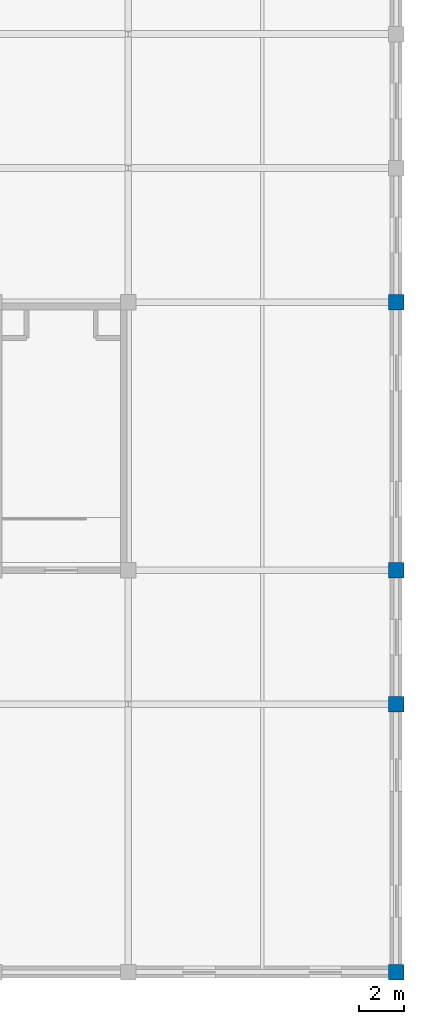
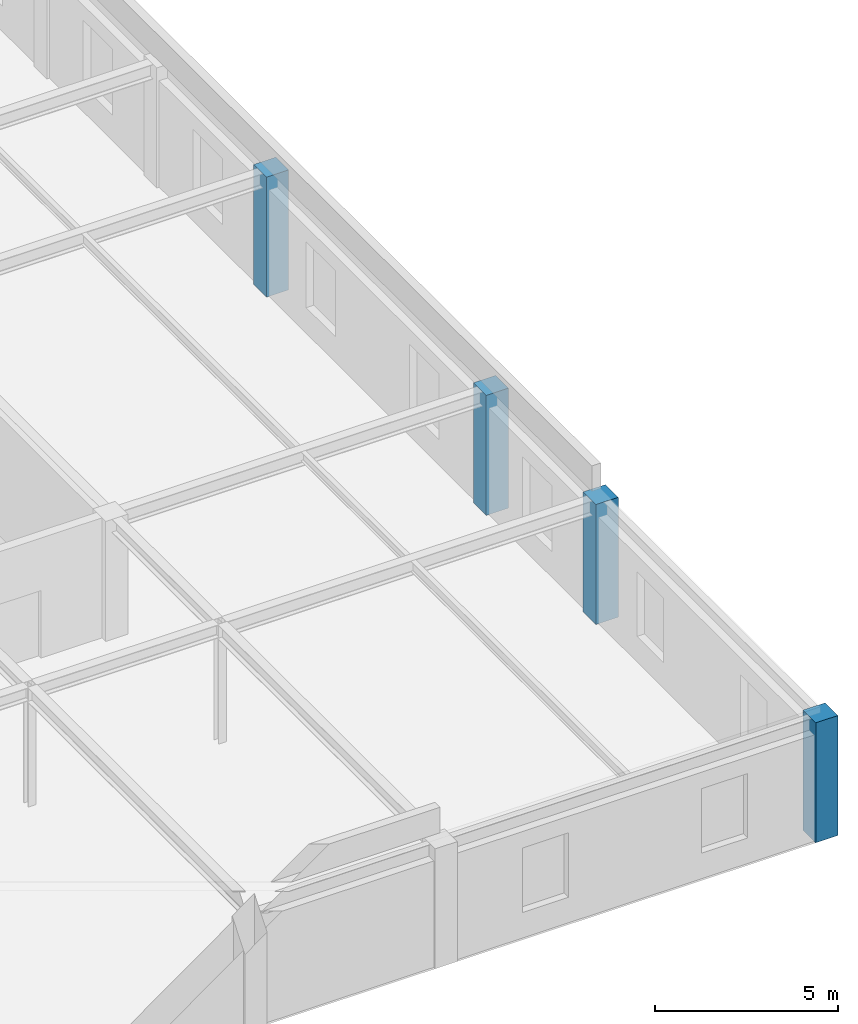
# One storey, part 23 of 111: 4 columns.
"""IFC4 building model written with IfcOpenShell, lengths in metres."""

import ifcopenshell
import ifcopenshell.guid

model = None  # the IFC model being written
_history = None  # IfcOwnerHistory: only IFC2X3 demands one
_inside = {}  # id of a spatial element -> (the spatial element, [elements in it])
_under = {}  # id of a project, library or spatial element -> (it, [spatial elements below it])
_declared = {}  # id of a project -> (the project, [libraries it declares])
_typed = {}  # id of a type object -> (the type object, [elements of that type])
_made_of = {}  # id of a material, layer set ... -> (it, [elements and type objects made of it])


def new_model(schema):
    """Start an empty IFC model of exactly this schema.

    Asked for "IFC4X3", IfcOpenShell would pick the latest addendum, in which some entities
    have other attributes; the version numbers below select the first issue.
    IFC2X3 requires an IfcOwnerHistory on every rooted entity: one is made here for all.
    """
    global model, _history
    if schema == "IFC4X3":
        model = ifcopenshell.file(schema_version=(4, 3, 0, 0))
    else:
        model = ifcopenshell.file(schema=schema)
    _inside.clear()
    _under.clear()
    _declared.clear()
    _typed.clear()
    _made_of.clear()
    _history = None
    if model.schema == "IFC2X3":
        org = make("IfcOrganization", Name="unknown")
        user = make(
            "IfcPersonAndOrganization",
            ThePerson=make("IfcPerson", FamilyName="unknown"),
            TheOrganization=org,
        )
        app = make(
            "IfcApplication",
            ApplicationDeveloper=org,
            Version="unknown",
            ApplicationFullName="unknown",
            ApplicationIdentifier="unknown",
        )
        _history = make(
            "IfcOwnerHistory",
            OwningUser=user,
            OwningApplication=app,
            ChangeAction="ADDED",
            CreationDate=0,
        )
    return model


def make(cls, **values):
    """One entity of the class cls with the attributes given. An attribute that is None is left unset."""
    return model.create_entity(
        cls, **{name: value for name, value in values.items() if value is not None}
    )


def rooted(cls, **values):
    """An entity with a GlobalId (a new one), such as an element, a storey or a relation."""
    return make(cls, GlobalId=ifcopenshell.guid.new(), OwnerHistory=_history, **values)


def si_unit(unit_type, name, prefix=None):
    """IfcSIUnit, for example si_unit("LENGTHUNIT", "METRE", prefix="MILLI")."""
    return make("IfcSIUnit", UnitType=unit_type, Prefix=prefix, Name=name)


def assignment(units):
    """IfcUnitAssignment: the units of a project."""
    return None if units is None else make("IfcUnitAssignment", Units=units)


def point(xyz):
    """IfcCartesianPoint."""
    return None if xyz is None else make("IfcCartesianPoint", Coordinates=xyz)


def direction(xyz):
    """IfcDirection."""
    return None if xyz is None else make("IfcDirection", DirectionRatios=xyz)


def frame(location, z_axis=None, x_axis=None):
    """IfcAxis2Placement3D, a coordinate frame: its origin and axes. An axis left out is left unset."""
    return make(
        "IfcAxis2Placement3D",
        Location=point(location),
        Axis=direction(z_axis),
        RefDirection=direction(x_axis),
    )


def frame_2d(location, x_axis=None):
    """IfcAxis2Placement2D, a coordinate frame in the plane: its origin and x axis."""
    return make(
        "IfcAxis2Placement2D", Location=point(location), RefDirection=direction(x_axis)
    )


def origin():
    """The frame at (0, 0, 0) with its axes left unset."""
    return frame((0.0, 0.0, 0.0))


def origin_2d():
    """The frame at (0, 0) in the plane with its x axis left unset."""
    return frame_2d((0.0, 0.0))


def place(relative_to, where):
    """IfcLocalPlacement: puts the frame where relative to a parent placement (None: the world)."""
    return make(
        "IfcLocalPlacement", PlacementRelTo=relative_to, RelativePlacement=where
    )


def context(
    kind, dimensions, precision=None, world=None, true_north=None, identifier=None
):
    """IfcGeometricRepresentationContext, for example the 3D "Model" context."""
    return make(
        "IfcGeometricRepresentationContext",
        ContextIdentifier=identifier,
        ContextType=kind,
        CoordinateSpaceDimension=dimensions,
        Precision=precision,
        WorldCoordinateSystem=world,
        TrueNorth=true_north,
    )


def subcontext(parent, identifier, kind, view, scale=None):
    """IfcGeometricRepresentationSubContext, for example "Body" below "Model"."""
    return make(
        "IfcGeometricRepresentationSubContext",
        ContextIdentifier=identifier,
        ContextType=kind,
        ParentContext=parent,
        TargetScale=scale,
        TargetView=view,
    )


def project(units=None, contexts=None):
    """IfcProject with its units and contexts."""
    return rooted(
        "IfcProject",
        Name="project",
        RepresentationContexts=contexts,
        UnitsInContext=assignment(units),
    )


def spatial(cls, under=None, at=None, **own):
    """A site, building, storey or space (cls), placed at a placement, below another one or the project."""
    s = rooted(cls, ObjectPlacement=at, **own)
    if under is not None:
        _under.setdefault(under.id(), (under, []))[1].append(s)
    return s


def profile(cls, at=None, kind="AREA", **sizes):
    """A parametric profile (cls). Its sizes go by their IFC names, for example OverallWidth=200.0."""
    return make(cls, ProfileType=kind, Position=at, **sizes)


def rectangle(**sizes):
    """IfcRectangleProfileDef."""
    return profile("IfcRectangleProfileDef", **sizes)


def extrude(swept, where, along, depth):
    """IfcExtrudedAreaSolid: the profile swept, set in the frame where, extruded along a direction by depth."""
    return make(
        "IfcExtrudedAreaSolid",
        SweptArea=swept,
        Position=where,
        ExtrudedDirection=direction(along),
        Depth=depth,
    )


def shape(context_of_items, identifier, shape_type, items):
    """IfcShapeRepresentation: the items that make up one representation, for example the "Body"."""
    return make(
        "IfcShapeRepresentation",
        ContextOfItems=context_of_items,
        RepresentationIdentifier=identifier,
        RepresentationType=shape_type,
        Items=items,
    )


def material(Name=None, Category=None):
    """IfcMaterial."""
    return make("IfcMaterial", Name=Name, Category=Category)


def material_profile(
    of_material, cross_section, Name=None, Category=None, Priority=None
):
    """IfcMaterialProfile: a cross section and its material."""
    return make(
        "IfcMaterialProfile",
        Name=Name,
        Material=of_material,
        Profile=cross_section,
        Priority=Priority,
        Category=Category,
    )


def profile_set(profiles, Name=None, composite=None):
    """IfcMaterialProfileSet."""
    return make(
        "IfcMaterialProfileSet",
        Name=Name,
        MaterialProfiles=profiles,
        CompositeProfile=composite,
    )


def made_of(thing, what):
    """Note that an element or type object is made of a material, layer set ...; save() writes the relation."""
    if what is not None:
        _made_of.setdefault(what.id(), (what, []))[1].append(thing)
    return thing


def type_object(cls, material=None, **own):
    """A type object (cls), such as IfcWallType, which elements share."""
    return made_of(rooted(cls, **own), material)


def element(
    cls,
    number,
    at=None,
    inside=None,
    cuts=None,
    type_object=None,
    material=None,
    context=None,
    identifier="Body",
    shape_type=None,
    held_by="IfcProductDefinitionShape",
    body=None,
    shapes=None,
    **own,
):
    """One element of the class cls, such as IfcWall. Its Tag is "e" and its number.

    at: its placement. inside: the storey or other place that contains it. cuts: it is an
    opening in that element (IfcRelVoidsElement). A single representation is given by context,
    identifier, shape_type and body (its items); several are given by shapes. held_by: the class
    of the entity that holds the representations. save() writes the other relations.
    """
    e = rooted(cls, Tag="e%d" % number, ObjectPlacement=at, **own)
    if body is not None:
        shapes = [shape(context, identifier, shape_type, body)]
    if shapes is not None:
        e.Representation = make(held_by, Representations=shapes)
    if inside is not None:
        _inside.setdefault(inside.id(), (inside, []))[1].append(e)
    if cuts is not None:
        rooted(
            "IfcRelVoidsElement", RelatingBuildingElement=cuts, RelatedOpeningElement=e
        )
    if type_object is not None:
        _typed.setdefault(type_object.id(), (type_object, []))[1].append(e)
    return made_of(e, material)


def aggregate(whole, parts):
    """IfcRelAggregates: a whole, such as a stair, and the parts it consists of."""
    return rooted("IfcRelAggregates", RelatingObject=whole, RelatedObjects=parts)


def save(model, path):
    """Write the relations noted so far, then the file.

    IfcRelAggregates (storeys below a building ...), IfcRelContainedInSpatialStructure (elements
    in a storey), IfcRelDefinesByType, IfcRelAssociatesMaterial and IfcRelDeclares: one each for
    every whole, place, type object, material and project.
    """
    for whole, parts in _under.values():
        aggregate(whole, parts)
    for where, things in _inside.values():
        rooted(
            "IfcRelContainedInSpatialStructure",
            RelatedElements=things,
            RelatingStructure=where,
        )
    for kind, things in _typed.values():
        rooted("IfcRelDefinesByType", RelatedObjects=things, RelatingType=kind)
    for what, things in _made_of.values():
        rooted("IfcRelAssociatesMaterial", RelatedObjects=things, RelatingMaterial=what)
    for by, libraries in _declared.values():
        rooted("IfcRelDeclares", RelatingContext=by, RelatedDefinitions=libraries)
    model.write(path)


model = new_model("IFC4")

# Units and contexts
model_context = context("Model", 3, precision=1e-05, world=origin(), true_north=direction((0.0, 1.0)))
body_context = subcontext(model_context, "Body", "Model", "MODEL_VIEW")
ifc_project = project(units=[si_unit("LENGTHUNIT", "METRE"), si_unit("AREAUNIT", "SQUARE_METRE"), si_unit("VOLUMEUNIT", "CUBIC_METRE"), si_unit("PLANEANGLEUNIT", "RADIAN"), si_unit("MASSUNIT", "GRAM", prefix="KILO")], contexts=[model_context])

# Site, building, storey
site_placement = place(None, origin())
site = spatial("IfcSite", under=ifc_project, at=site_placement, CompositionType="ELEMENT")
building_placement = place(site_placement, origin())
building = spatial("IfcBuilding", under=site, at=building_placement, Name="Zlatovratsky Civic Hall", CompositionType="ELEMENT")
storey_placement = place(building_placement, frame((0.0, 0.0, 16.5)))
storey = spatial("IfcBuildingStorey", under=building, at=storey_placement, Name="L04", CompositionType="ELEMENT", Elevation=16.5)

# Columns
ifc_material = material(Name="Concrete C35/45 (B40)", Category="concrete")
ifc_material_profile = material_profile(ifc_material, rectangle(XDim=0.699951171875, YDim=0.699951171875, at=origin_2d()), Name="RC 700x700")
ifc_profile_set = profile_set([ifc_material_profile], Name="Concrete C35/45 (B40)")
column_type = type_object("IfcColumnType", Name="Col_CorePier_RC700", PredefinedType="COLUMN", material=ifc_profile_set)
for number, where, z_axis, x_axis, name in (
    (1, (168.0, 0.0, 0.0), (0.0, 0.0, 1.0), (1.0, 0.0, 0.0), "CL-1564"),
    (2, (168.0, 12.0, 0.0), (0.0, 0.0, 1.0), (1.0, 0.0, 0.0), "CL-1587"),
    (3, (168.0, 18.0, 0.0), (0.0, 0.0, 1.0), (1.0, 0.0, 0.0), "CL-1610"),
    (4, (168.0, 30.0, 0.0), (0.0, 0.0, 1.0), (1.0, 0.0, 0.0), "CL-1630"),
):
    element("IfcColumn", number, at=place(storey_placement, frame(where, z_axis=z_axis, x_axis=x_axis)), inside=storey, type_object=column_type, Name=name, PredefinedType="COLUMN", context=body_context, shape_type="SweptSolid", body=[
        extrude(rectangle(XDim=0.699951171875, YDim=0.699951171875, at=origin_2d()), origin(), (0.0, 0.0, 1.0), 4.0),
    ])

save(model, "model.ifc")
